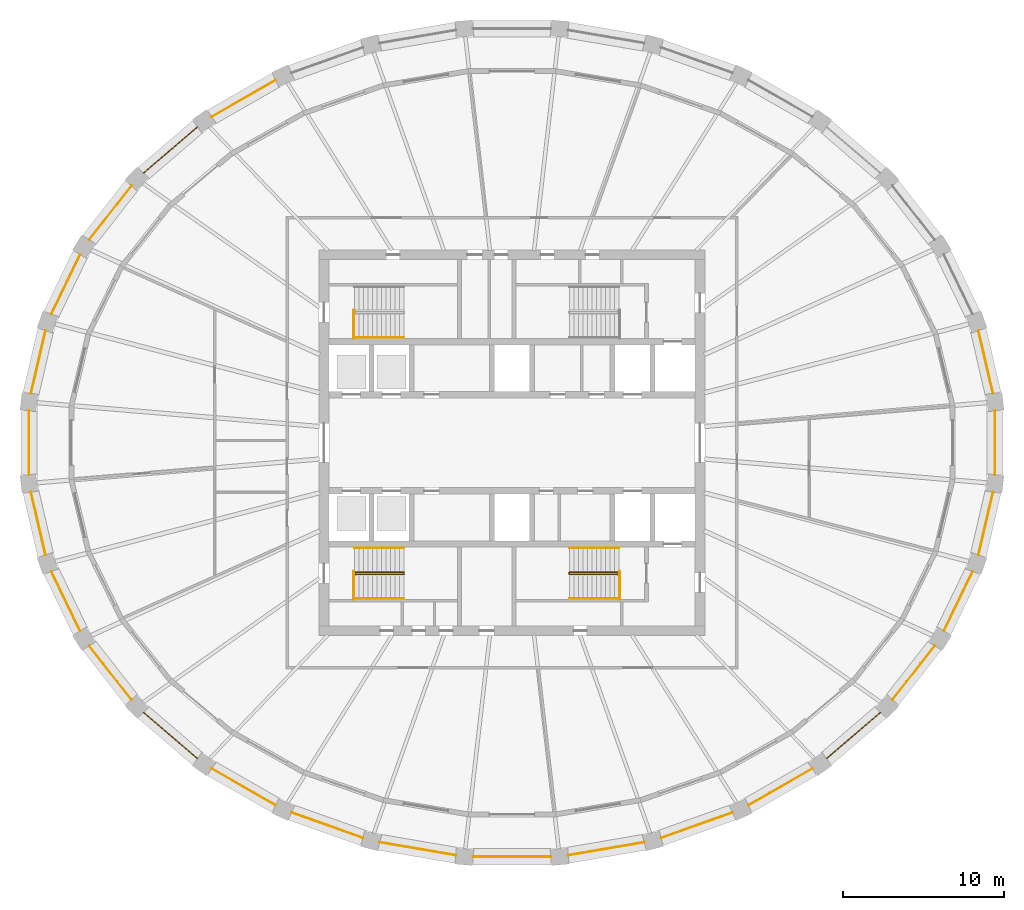
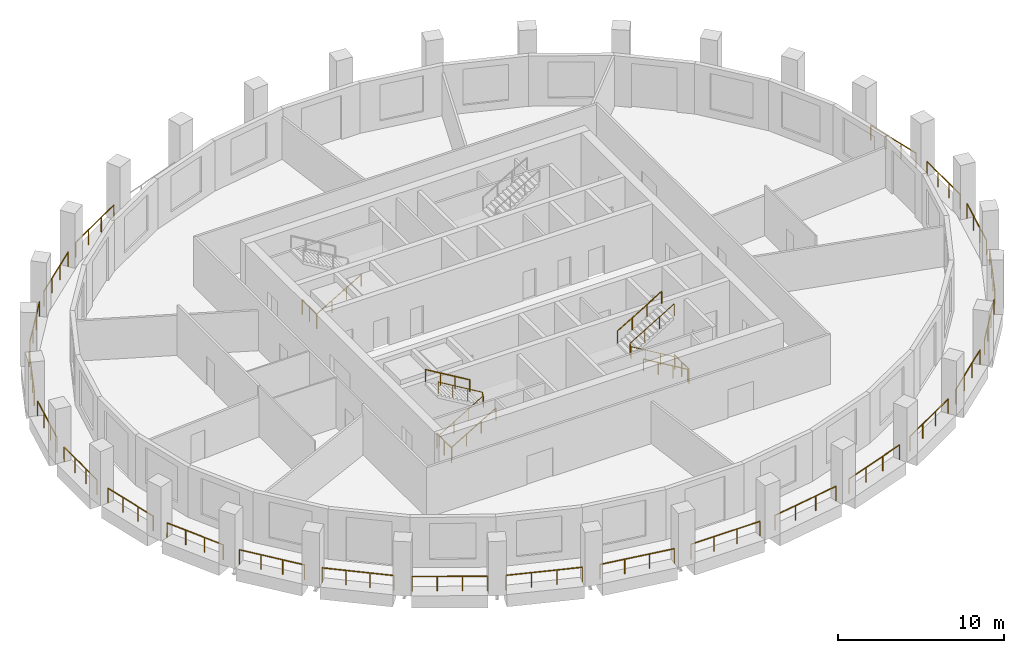
# One storey, part 8 of 10: 33 railings.
"""IFC4 building model written with IfcOpenShell, lengths in metres."""

from ifc_helpers import new_model, si_unit, direction, frame, origin, origin_2d, place, context, subcontext, project, spatial, circle, extrude, material, type_object, element, save


model = new_model("IFC4")

# Units and contexts
model_context = context("Model", 3, precision=1e-05, world=origin(), true_north=direction((0.0, 1.0)))
body_context = subcontext(model_context, "Body", "Model", "MODEL_VIEW")
ifc_project = project(units=[si_unit("LENGTHUNIT", "METRE"), si_unit("AREAUNIT", "SQUARE_METRE"), si_unit("VOLUMEUNIT", "CUBIC_METRE"), si_unit("PLANEANGLEUNIT", "RADIAN"), si_unit("MASSUNIT", "GRAM", prefix="KILO")], contexts=[model_context])

# Site, building, storey
site_placement = place(None, origin())
site = spatial("IfcSite", under=ifc_project, at=site_placement, CompositionType="ELEMENT")
building_placement = place(site_placement, origin())
building = spatial("IfcBuilding", under=site, at=building_placement, Name="Halqa Exchange Tower", CompositionType="ELEMENT")
storey_placement = place(building_placement, frame((0.0, 0.0, 260.300048828125)))
storey = spatial("IfcBuildingStorey", under=building, at=storey_placement, Name="L60", CompositionType="ELEMENT", Elevation=260.300048828125)

# Railings
ifc_material = material(Name="Stainless steel", Category="steel")
railing_type_1 = type_object("IfcRailingType", Name="Guard 1100 stainless steel", PredefinedType="GUARDRAIL", material=ifc_material)
railing_1_placement = place(storey_placement, frame((29.940673828125, 3.073974609375, 0.0)))
element("IfcRailing", 1, at=railing_1_placement, inside=storey, type_object=railing_type_1, Name="Loggia guard 1", PredefinedType="GUARDRAIL", context=body_context, shape_type="SweptSolid", body=[
    extrude(circle(Radius=0.02392578125, at=origin_2d()), frame((0.0, 0.0, 1.076171875), z_axis=(-0.226072980313, 0.974110367244, 0.0), x_axis=(-0.974110367244, -0.226072980313, 0.0)), (0.0, 0.0, 1.0), 4.0107421875),
    extrude(circle(Radius=0.02099609375, at=origin_2d()), origin(), (0.0, 0.0, 1.0), 1.052001953125),
    extrude(circle(Radius=0.02099609375, at=origin_2d()), frame((-0.30224609375, 1.30224609375, 0.0)), (0.0, 0.0, 1.0), 1.052001953125),
    extrude(circle(Radius=0.02099609375, at=origin_2d()), frame((-0.6044921875, 2.604736328125, 0.0)), (0.0, 0.0, 1.0), 1.052001953125),
    extrude(circle(Radius=0.02099609375, at=origin_2d()), frame((-0.90673828125, 3.906982421875, 0.0)), (0.0, 0.0, 1.0), 1.052001953125),
])
railing_2_placement = place(storey_placement, frame((-14.718505859375, 22.563720703125, 0.0)))
element("IfcRailing", 2, at=railing_2_placement, inside=storey, type_object=railing_type_1, Name="Loggia guard 11", PredefinedType="GUARDRAIL", context=body_context, shape_type="SweptSolid", body=[
    extrude(circle(Radius=0.02392578125, at=origin_2d()), frame((0.0, 0.0, 1.076171875), z_axis=(-0.867756640144, -0.496989349469, 0.0), x_axis=(0.496989349469, -0.867756640144, 0.0)), (0.0, 0.0, 1.0), 4.574462890625),
    extrude(circle(Radius=0.02099609375, at=origin_2d()), origin(), (0.0, 0.0, 1.0), 1.052001953125),
    extrude(circle(Radius=0.02099609375, at=origin_2d()), frame((-1.3232421875, -0.7578125, 0.0)), (0.0, 0.0, 1.0), 1.052001953125),
    extrude(circle(Radius=0.02099609375, at=origin_2d()), frame((-2.646240234375, -1.515625, 0.0)), (0.0, 0.0, 1.0), 1.052001953125),
    extrude(circle(Radius=0.02099609375, at=origin_2d()), frame((-3.969482421875, -2.2734375, 0.0)), (0.0, 0.0, 1.0), 1.052001953125),
])
railing_3_placement = place(storey_placement, frame((-19.5830078125, 19.658935546875, 0.0)))
element("IfcRailing", 3, at=railing_3_placement, inside=storey, type_object=railing_type_1, Name="Loggia guard 12", PredefinedType="GUARDRAIL", context=body_context, shape_type="SweptSolid", body=[
    extrude(circle(Radius=0.02392578125, at=origin_2d()), frame((0.0, 0.0, 1.076171875), z_axis=(-0.759240989742, -0.650809587741, 0.0), x_axis=(0.650809587741, -0.759240989742, 0.0)), (0.0, 0.0, 1.0), 4.415283203125),
    extrude(circle(Radius=0.02099609375, at=origin_2d()), origin(), (0.0, 0.0, 1.0), 1.052001953125),
    extrude(circle(Radius=0.02099609375, at=origin_2d()), frame((-1.117431640625, -0.957763671875, 0.0)), (0.0, 0.0, 1.0), 1.052001953125),
    extrude(circle(Radius=0.02099609375, at=origin_2d()), frame((-2.23486328125, -1.915771484375, 0.0)), (0.0, 0.0, 1.0), 1.052001953125),
    extrude(circle(Radius=0.02099609375, at=origin_2d()), frame((-3.352294921875, -2.87353515625, 0.0)), (0.0, 0.0, 1.0), 1.052001953125),
])
railing_4_placement = place(storey_placement, frame((-23.691162109375, 15.99365234375, 0.0)))
element("IfcRailing", 4, at=railing_4_placement, inside=storey, type_object=railing_type_1, Name="Loggia guard 13", PredefinedType="GUARDRAIL", context=body_context, shape_type="SweptSolid", body=[
    extrude(circle(Radius=0.02392578125, at=origin_2d()), frame((0.0, 0.0, 1.076171875), z_axis=(-0.614806859209, -0.788677707223, 0.0), x_axis=(0.788677707223, -0.614806859209, 0.0)), (0.0, 0.0, 1.0), 4.251708984375),
    extrude(circle(Radius=0.02099609375, at=origin_2d()), origin(), (0.0, 0.0, 1.0), 1.052001953125),
    extrude(circle(Radius=0.02099609375, at=origin_2d()), frame((-0.871337890625, -1.11767578125, 0.0)), (0.0, 0.0, 1.0), 1.052001953125),
    extrude(circle(Radius=0.02099609375, at=origin_2d()), frame((-1.74267578125, -2.235595703125, 0.0)), (0.0, 0.0, 1.0), 1.052001953125),
    extrude(circle(Radius=0.02099609375, at=origin_2d()), frame((-2.614013671875, -3.353271484375, 0.0)), (0.0, 0.0, 1.0), 1.052001953125),
])
railing_5_placement = place(storey_placement, frame((-26.882568359375, 11.71142578125, 0.0)))
element("IfcRailing", 5, at=railing_5_placement, inside=storey, type_object=railing_type_1, Name="Loggia guard 14", PredefinedType="GUARDRAIL", context=body_context, shape_type="SweptSolid", body=[
    extrude(circle(Radius=0.02392578125, at=origin_2d()), frame((0.0, 0.0, 1.076171875), z_axis=(-0.435122901851, -0.900371068107, 0.0), x_axis=(0.900371068107, -0.435122901851, 0.0)), (0.0, 0.0, 1.0), 4.10888671875),
    extrude(circle(Radius=0.02099609375, at=origin_2d()), origin(), (0.0, 0.0, 1.0), 1.052001953125),
    extrude(circle(Radius=0.02099609375, at=origin_2d()), frame((-0.595947265625, -1.233154296875, 0.0)), (0.0, 0.0, 1.0), 1.052001953125),
    extrude(circle(Radius=0.02099609375, at=origin_2d()), frame((-1.19189453125, -2.46630859375, 0.0)), (0.0, 0.0, 1.0), 1.052001953125),
    extrude(circle(Radius=0.02099609375, at=origin_2d()), frame((-1.787841796875, -3.699462890625, 0.0)), (0.0, 0.0, 1.0), 1.052001953125),
])
railing_6_placement = place(storey_placement, frame((-29.033935546875, 6.98095703125, 0.0)))
element("IfcRailing", 6, at=railing_6_placement, inside=storey, type_object=railing_type_1, Name="Loggia guard 15", PredefinedType="GUARDRAIL", context=body_context, shape_type="SweptSolid", body=[
    extrude(circle(Radius=0.02392578125, at=origin_2d()), frame((0.0, 0.0, 1.076171875), z_axis=(-0.226072980313, -0.974110367244, 0.0), x_axis=(0.974110367244, -0.226072980313, 0.0)), (0.0, 0.0, 1.0), 4.0107421875),
    extrude(circle(Radius=0.02099609375, at=origin_2d()), origin(), (0.0, 0.0, 1.0), 1.052001953125),
    extrude(circle(Radius=0.02099609375, at=origin_2d()), frame((-0.30224609375, -1.30224609375, 0.0)), (0.0, 0.0, 1.0), 1.052001953125),
    extrude(circle(Radius=0.02099609375, at=origin_2d()), frame((-0.6044921875, -2.604736328125, 0.0)), (0.0, 0.0, 1.0), 1.052001953125),
    extrude(circle(Radius=0.02099609375, at=origin_2d()), frame((-0.90673828125, -3.906982421875, 0.0)), (0.0, 0.0, 1.0), 1.052001953125),
])
railing_7_placement = place(storey_placement, frame((-30.06494140625, 1.988037109375, 0.0)))
element("IfcRailing", 7, at=railing_7_placement, inside=storey, type_object=railing_type_1, Name="Loggia guard 16", PredefinedType="GUARDRAIL", context=body_context, shape_type="SweptSolid", body=[
    extrude(circle(Radius=0.02392578125, at=origin_2d()), frame((0.0, 0.0, 1.076171875), z_axis=(0.0, -1.0, 0.0), x_axis=(1.0, 0.0, 0.0)), (0.0, 0.0, 1.0), 3.97607421875),
    extrude(circle(Radius=0.02099609375, at=origin_2d()), origin(), (0.0, 0.0, 1.0), 1.052001953125),
    extrude(circle(Radius=0.02099609375, at=origin_2d()), frame((0.0, -1.325439453125, 0.0)), (0.0, 0.0, 1.0), 1.052001953125),
    extrude(circle(Radius=0.02099609375, at=origin_2d()), frame((0.0, -2.650634765625, 0.0)), (0.0, 0.0, 1.0), 1.052001953125),
    extrude(circle(Radius=0.02099609375, at=origin_2d()), frame((0.0, -3.97607421875, 0.0)), (0.0, 0.0, 1.0), 1.052001953125),
])
railing_8_placement = place(storey_placement, frame((-29.940673828125, -3.073974609375, 0.0)))
element("IfcRailing", 8, at=railing_8_placement, inside=storey, type_object=railing_type_1, Name="Loggia guard 17", PredefinedType="GUARDRAIL", context=body_context, shape_type="SweptSolid", body=[
    extrude(circle(Radius=0.02392578125, at=origin_2d()), frame((0.0, 0.0, 1.076171875), z_axis=(0.226072980313, -0.974110367244, 0.0), x_axis=(0.974110367244, 0.226072980313, 0.0)), (0.0, 0.0, 1.0), 4.0107421875),
    extrude(circle(Radius=0.02099609375, at=origin_2d()), origin(), (0.0, 0.0, 1.0), 1.052001953125),
    extrude(circle(Radius=0.02099609375, at=origin_2d()), frame((0.30224609375, -1.30224609375, 0.0)), (0.0, 0.0, 1.0), 1.052001953125),
    extrude(circle(Radius=0.02099609375, at=origin_2d()), frame((0.6044921875, -2.604736328125, 0.0)), (0.0, 0.0, 1.0), 1.052001953125),
    extrude(circle(Radius=0.02099609375, at=origin_2d()), frame((0.90673828125, -3.906982421875, 0.0)), (0.0, 0.0, 1.0), 1.052001953125),
])
railing_9_placement = place(storey_placement, frame((-28.67041015625, -8.011962890625, 0.0)))
element("IfcRailing", 9, at=railing_9_placement, inside=storey, type_object=railing_type_1, Name="Loggia guard 18", PredefinedType="GUARDRAIL", context=body_context, shape_type="SweptSolid", body=[
    extrude(circle(Radius=0.02392578125, at=origin_2d()), frame((0.0, 0.0, 1.076171875), z_axis=(0.435122901851, -0.900371068107, 0.0), x_axis=(0.900371068107, 0.435122901851, 0.0)), (0.0, 0.0, 1.0), 4.10888671875),
    extrude(circle(Radius=0.02099609375, at=origin_2d()), origin(), (0.0, 0.0, 1.0), 1.052001953125),
    extrude(circle(Radius=0.02099609375, at=origin_2d()), frame((0.595947265625, -1.233154296875, 0.0)), (0.0, 0.0, 1.0), 1.052001953125),
    extrude(circle(Radius=0.02099609375, at=origin_2d()), frame((1.19189453125, -2.46630859375, 0.0)), (0.0, 0.0, 1.0), 1.052001953125),
    extrude(circle(Radius=0.02099609375, at=origin_2d()), frame((1.787841796875, -3.699462890625, 0.0)), (0.0, 0.0, 1.0), 1.052001953125),
])
railing_10_placement = place(storey_placement, frame((-26.30517578125, -12.640380859375, 0.0)))
element("IfcRailing", 10, at=railing_10_placement, inside=storey, type_object=railing_type_1, Name="Loggia guard 19", PredefinedType="GUARDRAIL", context=body_context, shape_type="SweptSolid", body=[
    extrude(circle(Radius=0.02392578125, at=origin_2d()), frame((0.0, 0.0, 1.076171875), z_axis=(0.614806859209, -0.788677707223, 0.0), x_axis=(0.788677707223, 0.614806859209, 0.0)), (0.0, 0.0, 1.0), 4.251708984375),
    extrude(circle(Radius=0.02099609375, at=origin_2d()), origin(), (0.0, 0.0, 1.0), 1.052001953125),
    extrude(circle(Radius=0.02099609375, at=origin_2d()), frame((0.871337890625, -1.11767578125, 0.0)), (0.0, 0.0, 1.0), 1.052001953125),
    extrude(circle(Radius=0.02099609375, at=origin_2d()), frame((1.74267578125, -2.235595703125, 0.0)), (0.0, 0.0, 1.0), 1.052001953125),
    extrude(circle(Radius=0.02099609375, at=origin_2d()), frame((2.614013671875, -3.353271484375, 0.0)), (0.0, 0.0, 1.0), 1.052001953125),
])
railing_11_placement = place(storey_placement, frame((-22.935302734375, -16.785400390625, 0.0)))
element("IfcRailing", 11, at=railing_11_placement, inside=storey, type_object=railing_type_1, Name="Loggia guard 20", PredefinedType="GUARDRAIL", context=body_context, shape_type="SweptSolid", body=[
    extrude(circle(Radius=0.02392578125, at=origin_2d()), frame((0.0, 0.0, 1.076171875), z_axis=(0.759240989742, -0.650809587741, 0.0), x_axis=(0.650809587741, 0.759240989742, 0.0)), (0.0, 0.0, 1.0), 4.415283203125),
    extrude(circle(Radius=0.02099609375, at=origin_2d()), origin(), (0.0, 0.0, 1.0), 1.052001953125),
    extrude(circle(Radius=0.02099609375, at=origin_2d()), frame((1.117431640625, -0.957763671875, 0.0)), (0.0, 0.0, 1.0), 1.052001953125),
    extrude(circle(Radius=0.02099609375, at=origin_2d()), frame((2.23486328125, -1.915771484375, 0.0)), (0.0, 0.0, 1.0), 1.052001953125),
    extrude(circle(Radius=0.02099609375, at=origin_2d()), frame((3.352294921875, -2.87353515625, 0.0)), (0.0, 0.0, 1.0), 1.052001953125),
])
railing_12_placement = place(storey_placement, frame((-18.68798828125, -20.290283203125, 0.0)))
element("IfcRailing", 12, at=railing_12_placement, inside=storey, type_object=railing_type_1, Name="Loggia guard 21", PredefinedType="GUARDRAIL", context=body_context, shape_type="SweptSolid", body=[
    extrude(circle(Radius=0.02392578125, at=origin_2d()), frame((0.0, 0.0, 1.076171875), z_axis=(0.867756640144, -0.496989349469, 0.0), x_axis=(0.496989349469, 0.867756640144, 0.0)), (0.0, 0.0, 1.0), 4.574462890625),
    extrude(circle(Radius=0.02099609375, at=origin_2d()), origin(), (0.0, 0.0, 1.0), 1.052001953125),
    extrude(circle(Radius=0.02099609375, at=origin_2d()), frame((1.3232421875, -0.7578125, 0.0)), (0.0, 0.0, 1.0), 1.052001953125),
    extrude(circle(Radius=0.02099609375, at=origin_2d()), frame((2.646240234375, -1.515625, 0.0)), (0.0, 0.0, 1.0), 1.052001953125),
    extrude(circle(Radius=0.02099609375, at=origin_2d()), frame((3.969482421875, -2.2734375, 0.0)), (0.0, 0.0, 1.0), 1.052001953125),
])
railing_13_placement = place(storey_placement, frame((-13.722900390625, -23.02099609375, 0.0)))
element("IfcRailing", 13, at=railing_13_placement, inside=storey, type_object=railing_type_1, Name="Loggia guard 22", PredefinedType="GUARDRAIL", context=body_context, shape_type="SweptSolid", body=[
    extrude(circle(Radius=0.02392578125, at=origin_2d()), frame((0.0, 0.0, 1.076171875), z_axis=(0.942362332285, -0.334594134275, 0.0), x_axis=(0.334594134275, 0.942362332285, 0.0)), (0.0, 0.0, 1.0), 4.706298828125),
    extrude(circle(Radius=0.02099609375, at=origin_2d()), origin(), (0.0, 0.0, 1.0), 1.052001953125),
    extrude(circle(Radius=0.02099609375, at=origin_2d()), frame((1.478271484375, -0.52490234375, 0.0)), (0.0, 0.0, 1.0), 1.052001953125),
    extrude(circle(Radius=0.02099609375, at=origin_2d()), frame((2.956787109375, -1.0498046875, 0.0)), (0.0, 0.0, 1.0), 1.052001953125),
    extrude(circle(Radius=0.02099609375, at=origin_2d()), frame((4.43505859375, -1.57470703125, 0.0)), (0.0, 0.0, 1.0), 1.052001953125),
])
railing_14_placement = place(storey_placement, frame((-8.227294921875, -24.8720703125, 0.0)))
element("IfcRailing", 14, at=railing_14_placement, inside=storey, type_object=railing_type_1, Name="Loggia guard 23", PredefinedType="GUARDRAIL", context=body_context, shape_type="SweptSolid", body=[
    extrude(circle(Radius=0.02392578125, at=origin_2d()), frame((0.0, 0.0, 1.076171875), z_axis=(0.98577433099, -0.168074294172, 0.0), x_axis=(0.168074294172, 0.98577433099, 0.0)), (0.0, 0.0, 1.0), 4.7919921875),
    extrude(circle(Radius=0.02099609375, at=origin_2d()), origin(), (0.0, 0.0, 1.0), 1.052001953125),
    extrude(circle(Radius=0.02099609375, at=origin_2d()), frame((1.57470703125, -0.2685546875, 0.0)), (0.0, 0.0, 1.0), 1.052001953125),
    extrude(circle(Radius=0.02099609375, at=origin_2d()), frame((3.149169921875, -0.536865234375, 0.0)), (0.0, 0.0, 1.0), 1.052001953125),
    extrude(circle(Radius=0.02099609375, at=origin_2d()), frame((4.723876953125, -0.805419921875, 0.0)), (0.0, 0.0, 1.0), 1.052001953125),
])
railing_15_placement = place(storey_placement, frame((-2.4111328125, -25.77001953125, 0.0)))
element("IfcRailing", 15, at=railing_15_placement, inside=storey, type_object=railing_type_1, Name="Loggia guard 24", PredefinedType="GUARDRAIL", context=body_context, shape_type="SweptSolid", body=[
    extrude(circle(Radius=0.02392578125, at=origin_2d()), frame((0.0, 0.0, 1.076171875), z_axis=(1.0, 0.0, 0.0), x_axis=(0.0, 1.0, 0.0)), (0.0, 0.0, 1.0), 4.822265625),
    extrude(circle(Radius=0.02099609375, at=origin_2d()), origin(), (0.0, 0.0, 1.0), 1.052001953125),
    extrude(circle(Radius=0.02099609375, at=origin_2d()), frame((1.607421875, 0.0, 0.0)), (0.0, 0.0, 1.0), 1.052001953125),
    extrude(circle(Radius=0.02099609375, at=origin_2d()), frame((3.21484375, 0.0, 0.0)), (0.0, 0.0, 1.0), 1.052001953125),
    extrude(circle(Radius=0.02099609375, at=origin_2d()), frame((4.822265625, 0.0, 0.0)), (0.0, 0.0, 1.0), 1.052001953125),
])
railing_16_placement = place(storey_placement, frame((3.50341796875, -25.677490234375, 0.0)))
element("IfcRailing", 16, at=railing_16_placement, inside=storey, type_object=railing_type_1, Name="Loggia guard 25", PredefinedType="GUARDRAIL", context=body_context, shape_type="SweptSolid", body=[
    extrude(circle(Radius=0.02392578125, at=origin_2d()), frame((0.0, 0.0, 1.076171875), z_axis=(0.98577433099, 0.168074294172, 0.0), x_axis=(-0.168074294172, 0.98577433099, 0.0)), (0.0, 0.0, 1.0), 4.7919921875),
    extrude(circle(Radius=0.02099609375, at=origin_2d()), origin(), (0.0, 0.0, 1.0), 1.052001953125),
    extrude(circle(Radius=0.02099609375, at=origin_2d()), frame((1.57470703125, 0.2685546875, 0.0)), (0.0, 0.0, 1.0), 1.052001953125),
    extrude(circle(Radius=0.02099609375, at=origin_2d()), frame((3.149169921875, 0.536865234375, 0.0)), (0.0, 0.0, 1.0), 1.052001953125),
    extrude(circle(Radius=0.02099609375, at=origin_2d()), frame((4.723876953125, 0.805419921875, 0.0)), (0.0, 0.0, 1.0), 1.052001953125),
])
railing_17_placement = place(storey_placement, frame((9.287841796875, -24.595703125, 0.0)))
element("IfcRailing", 17, at=railing_17_placement, inside=storey, type_object=railing_type_1, Name="Loggia guard 26", PredefinedType="GUARDRAIL", context=body_context, shape_type="SweptSolid", body=[
    extrude(circle(Radius=0.02392578125, at=origin_2d()), frame((0.0, 0.0, 1.076171875), z_axis=(0.942362332285, 0.334594134275, 0.0), x_axis=(-0.334594134275, 0.942362332285, 0.0)), (0.0, 0.0, 1.0), 4.706298828125),
    extrude(circle(Radius=0.02099609375, at=origin_2d()), origin(), (0.0, 0.0, 1.0), 1.052001953125),
    extrude(circle(Radius=0.02099609375, at=origin_2d()), frame((1.478271484375, 0.52490234375, 0.0)), (0.0, 0.0, 1.0), 1.052001953125),
    extrude(circle(Radius=0.02099609375, at=origin_2d()), frame((2.956787109375, 1.0498046875, 0.0)), (0.0, 0.0, 1.0), 1.052001953125),
    extrude(circle(Radius=0.02099609375, at=origin_2d()), frame((4.43505859375, 1.57470703125, 0.0)), (0.0, 0.0, 1.0), 1.052001953125),
])
railing_18_placement = place(storey_placement, frame((14.718505859375, -22.563720703125, 0.0)))
element("IfcRailing", 18, at=railing_18_placement, inside=storey, type_object=railing_type_1, Name="Loggia guard 27", PredefinedType="GUARDRAIL", context=body_context, shape_type="SweptSolid", body=[
    extrude(circle(Radius=0.02392578125, at=origin_2d()), frame((0.0, 0.0, 1.076171875), z_axis=(0.867756640144, 0.496989349469, 0.0), x_axis=(-0.496989349469, 0.867756640144, 0.0)), (0.0, 0.0, 1.0), 4.574462890625),
    extrude(circle(Radius=0.02099609375, at=origin_2d()), origin(), (0.0, 0.0, 1.0), 1.052001953125),
    extrude(circle(Radius=0.02099609375, at=origin_2d()), frame((1.3232421875, 0.7578125, 0.0)), (0.0, 0.0, 1.0), 1.052001953125),
    extrude(circle(Radius=0.02099609375, at=origin_2d()), frame((2.646240234375, 1.515625, 0.0)), (0.0, 0.0, 1.0), 1.052001953125),
    extrude(circle(Radius=0.02099609375, at=origin_2d()), frame((3.969482421875, 2.2734375, 0.0)), (0.0, 0.0, 1.0), 1.052001953125),
])
railing_19_placement = place(storey_placement, frame((19.5830078125, -19.658935546875, 0.0)))
element("IfcRailing", 19, at=railing_19_placement, inside=storey, type_object=railing_type_1, Name="Loggia guard 28", PredefinedType="GUARDRAIL", context=body_context, shape_type="SweptSolid", body=[
    extrude(circle(Radius=0.02392578125, at=origin_2d()), frame((0.0, 0.0, 1.076171875), z_axis=(0.759240989742, 0.650809587741, 0.0), x_axis=(-0.650809587741, 0.759240989742, 0.0)), (0.0, 0.0, 1.0), 4.415283203125),
    extrude(circle(Radius=0.02099609375, at=origin_2d()), origin(), (0.0, 0.0, 1.0), 1.052001953125),
    extrude(circle(Radius=0.02099609375, at=origin_2d()), frame((1.117431640625, 0.957763671875, 0.0)), (0.0, 0.0, 1.0), 1.052001953125),
    extrude(circle(Radius=0.02099609375, at=origin_2d()), frame((2.23486328125, 1.915771484375, 0.0)), (0.0, 0.0, 1.0), 1.052001953125),
    extrude(circle(Radius=0.02099609375, at=origin_2d()), frame((3.352294921875, 2.87353515625, 0.0)), (0.0, 0.0, 1.0), 1.052001953125),
])
railing_20_placement = place(storey_placement, frame((23.691162109375, -15.99365234375, 0.0)))
element("IfcRailing", 20, at=railing_20_placement, inside=storey, type_object=railing_type_1, Name="Loggia guard 29", PredefinedType="GUARDRAIL", context=body_context, shape_type="SweptSolid", body=[
    extrude(circle(Radius=0.02392578125, at=origin_2d()), frame((0.0, 0.0, 1.076171875), z_axis=(0.614806859209, 0.788677707223, 0.0), x_axis=(-0.788677707223, 0.614806859209, 0.0)), (0.0, 0.0, 1.0), 4.251708984375),
    extrude(circle(Radius=0.02099609375, at=origin_2d()), origin(), (0.0, 0.0, 1.0), 1.052001953125),
    extrude(circle(Radius=0.02099609375, at=origin_2d()), frame((0.871337890625, 1.11767578125, 0.0)), (0.0, 0.0, 1.0), 1.052001953125),
    extrude(circle(Radius=0.02099609375, at=origin_2d()), frame((1.74267578125, 2.235595703125, 0.0)), (0.0, 0.0, 1.0), 1.052001953125),
    extrude(circle(Radius=0.02099609375, at=origin_2d()), frame((2.614013671875, 3.353271484375, 0.0)), (0.0, 0.0, 1.0), 1.052001953125),
])
railing_21_placement = place(storey_placement, frame((26.882568359375, -11.71142578125, 0.0)))
element("IfcRailing", 21, at=railing_21_placement, inside=storey, type_object=railing_type_1, Name="Loggia guard 30", PredefinedType="GUARDRAIL", context=body_context, shape_type="SweptSolid", body=[
    extrude(circle(Radius=0.02392578125, at=origin_2d()), frame((0.0, 0.0, 1.076171875), z_axis=(0.435122901851, 0.900371068107, 0.0), x_axis=(-0.900371068107, 0.435122901851, 0.0)), (0.0, 0.0, 1.0), 4.10888671875),
    extrude(circle(Radius=0.02099609375, at=origin_2d()), origin(), (0.0, 0.0, 1.0), 1.052001953125),
    extrude(circle(Radius=0.02099609375, at=origin_2d()), frame((0.595947265625, 1.233154296875, 0.0)), (0.0, 0.0, 1.0), 1.052001953125),
    extrude(circle(Radius=0.02099609375, at=origin_2d()), frame((1.19189453125, 2.46630859375, 0.0)), (0.0, 0.0, 1.0), 1.052001953125),
    extrude(circle(Radius=0.02099609375, at=origin_2d()), frame((1.787841796875, 3.699462890625, 0.0)), (0.0, 0.0, 1.0), 1.052001953125),
])
railing_22_placement = place(storey_placement, frame((29.033935546875, -6.98095703125, 0.0)))
element("IfcRailing", 22, at=railing_22_placement, inside=storey, type_object=railing_type_1, Name="Loggia guard 31", PredefinedType="GUARDRAIL", context=body_context, shape_type="SweptSolid", body=[
    extrude(circle(Radius=0.02392578125, at=origin_2d()), frame((0.0, 0.0, 1.076171875), z_axis=(0.226072980313, 0.974110367244, 0.0), x_axis=(-0.974110367244, 0.226072980313, 0.0)), (0.0, 0.0, 1.0), 4.0107421875),
    extrude(circle(Radius=0.02099609375, at=origin_2d()), origin(), (0.0, 0.0, 1.0), 1.052001953125),
    extrude(circle(Radius=0.02099609375, at=origin_2d()), frame((0.30224609375, 1.30224609375, 0.0)), (0.0, 0.0, 1.0), 1.052001953125),
    extrude(circle(Radius=0.02099609375, at=origin_2d()), frame((0.6044921875, 2.604736328125, 0.0)), (0.0, 0.0, 1.0), 1.052001953125),
    extrude(circle(Radius=0.02099609375, at=origin_2d()), frame((0.90673828125, 3.906982421875, 0.0)), (0.0, 0.0, 1.0), 1.052001953125),
])
railing_23_placement = place(storey_placement, frame((30.06494140625, -1.988037109375, 0.0)))
element("IfcRailing", 23, at=railing_23_placement, inside=storey, type_object=railing_type_1, Name="Loggia guard 32", PredefinedType="GUARDRAIL", context=body_context, shape_type="SweptSolid", body=[
    extrude(circle(Radius=0.02392578125, at=origin_2d()), frame((0.0, 0.0, 1.076171875), z_axis=(0.0, 1.0, 0.0), x_axis=(-1.0, 0.0, 0.0)), (0.0, 0.0, 1.0), 3.97607421875),
    extrude(circle(Radius=0.02099609375, at=origin_2d()), origin(), (0.0, 0.0, 1.0), 1.052001953125),
    extrude(circle(Radius=0.02099609375, at=origin_2d()), frame((0.0, 1.325439453125, 0.0)), (0.0, 0.0, 1.0), 1.052001953125),
    extrude(circle(Radius=0.02099609375, at=origin_2d()), frame((0.0, 2.650634765625, 0.0)), (0.0, 0.0, 1.0), 1.052001953125),
    extrude(circle(Radius=0.02099609375, at=origin_2d()), frame((0.0, 3.97607421875, 0.0)), (0.0, 0.0, 1.0), 1.052001953125),
])
railing_type_2 = type_object("IfcRailingType", Name="Stair handrail 900", PredefinedType="HANDRAIL", material=ifc_material)
railing_24_placement = place(storey_placement, frame((-9.800048828125, 6.550048828125, 0.166748046875)))
element("IfcRailing", 24, at=railing_24_placement, inside=storey, type_object=railing_type_2, Name="Handrail ST1.2", PredefinedType="HANDRAIL", context=body_context, shape_type="SweptSolid", body=[
    extrude(circle(Radius=0.02392578125, at=origin_2d()), frame((0.0, 0.0, 0.8759765625), z_axis=(0.859308565015, 0.0, 0.511457515432), x_axis=(0.0, 1.0, 0.0)), (0.0, 0.0, 1.0), 3.58447265625),
    extrude(circle(Radius=0.02099609375, at=origin_2d()), origin(), (0.0, 0.0, 1.0), 0.851806640625),
    extrude(circle(Radius=0.02099609375, at=origin_2d()), frame((1.026611328125, 0.0, 0.611083984375)), (0.0, 0.0, 1.0), 0.851806640625),
    extrude(circle(Radius=0.02099609375, at=origin_2d()), frame((2.053466796875, 0.0, 1.22216796875)), (0.0, 0.0, 1.0), 0.851806640625),
    extrude(circle(Radius=0.02099609375, at=origin_2d()), frame((3.080078125, 0.0, 1.833251953125)), (0.0, 0.0, 1.0), 0.851806640625),
])
railing_25_placement = place(storey_placement, frame((-9.800048828125, -8.18994140625, 0.166748046875)))
element("IfcRailing", 25, at=railing_25_placement, inside=storey, type_object=railing_type_2, Name="Handrail ST3.1", PredefinedType="HANDRAIL", context=body_context, shape_type="SweptSolid", body=[
    extrude(circle(Radius=0.02392578125, at=origin_2d()), frame((0.0, 0.0, 0.8759765625), z_axis=(0.859308565015, 0.0, 0.511457515432), x_axis=(0.0, 1.0, 0.0)), (0.0, 0.0, 1.0), 3.58447265625),
    extrude(circle(Radius=0.02392578125, at=origin_2d()), frame((3.080078125, 0.0, 2.708984375), z_axis=(0.0, 0.614500226555, 0.788916644243), x_axis=(-1.0, 0.0, 0.0)), (0.0, 0.0, 1.0), 0.21142578125),
    extrude(circle(Radius=0.02392578125, at=origin_2d()), frame((3.080078125, 0.1298828125, 2.8759765625), z_axis=(-0.859308565015, 0.0, 0.511457515432), x_axis=(0.0, -1.0, 0.0)), (0.0, 0.0, 1.0), 3.58447265625),
    extrude(circle(Radius=0.02099609375, at=origin_2d()), origin(), (0.0, 0.0, 1.0), 0.851806640625),
    extrude(circle(Radius=0.02099609375, at=origin_2d()), frame((1.026611328125, 0.0, 0.611083984375)), (0.0, 0.0, 1.0), 0.851806640625),
    extrude(circle(Radius=0.02099609375, at=origin_2d()), frame((2.053466796875, 0.0, 1.22216796875)), (0.0, 0.0, 1.0), 0.851806640625),
    extrude(circle(Radius=0.02099609375, at=origin_2d()), frame((3.080078125, 0.0, 1.833251953125)), (0.0, 0.0, 1.0), 0.851806640625),
    extrude(circle(Radius=0.02099609375, at=origin_2d()), frame((3.080078125, 0.1298828125, 2.0)), (0.0, 0.0, 1.0), 0.851806640625),
    extrude(circle(Radius=0.02099609375, at=origin_2d()), frame((2.053466796875, 0.1298828125, 2.611083984375)), (0.0, 0.0, 1.0), 0.851806640625),
    extrude(circle(Radius=0.02099609375, at=origin_2d()), frame((1.026611328125, 0.1298828125, 3.22216796875)), (0.0, 0.0, 1.0), 0.851806640625),
    extrude(circle(Radius=0.02099609375, at=origin_2d()), frame((0.0, 0.1298828125, 3.833251953125)), (0.0, 0.0, 1.0), 0.851806640625),
])
railing_26_placement = place(storey_placement, frame((-9.800048828125, -9.699951171875, 0.166748046875)))
element("IfcRailing", 26, at=railing_26_placement, inside=storey, type_object=railing_type_2, Name="Handrail ST3.2", PredefinedType="HANDRAIL", context=body_context, shape_type="SweptSolid", body=[
    extrude(circle(Radius=0.02392578125, at=origin_2d()), frame((0.0, 0.0, 0.8759765625), z_axis=(0.859308565015, 0.0, 0.511457515432), x_axis=(0.0, 1.0, 0.0)), (0.0, 0.0, 1.0), 3.58447265625),
    extrude(circle(Radius=0.02099609375, at=origin_2d()), origin(), (0.0, 0.0, 1.0), 0.851806640625),
    extrude(circle(Radius=0.02099609375, at=origin_2d()), frame((1.026611328125, 0.0, 0.611083984375)), (0.0, 0.0, 1.0), 0.851806640625),
    extrude(circle(Radius=0.02099609375, at=origin_2d()), frame((2.053466796875, 0.0, 1.22216796875)), (0.0, 0.0, 1.0), 0.851806640625),
    extrude(circle(Radius=0.02099609375, at=origin_2d()), frame((3.080078125, 0.0, 1.833251953125)), (0.0, 0.0, 1.0), 0.851806640625),
])
railing_27_placement = place(storey_placement, frame((-6.719970703125, -6.550048828125, 2.166748046875)))
element("IfcRailing", 27, at=railing_27_placement, inside=storey, type_object=railing_type_2, Name="Handrail ST3.3", PredefinedType="HANDRAIL", context=body_context, shape_type="SweptSolid", body=[
    extrude(circle(Radius=0.02392578125, at=origin_2d()), frame((0.0, 0.0, 0.8759765625), z_axis=(-0.859308565015, 0.0, 0.511457515432), x_axis=(0.0, -1.0, 0.0)), (0.0, 0.0, 1.0), 3.58447265625),
    extrude(circle(Radius=0.02099609375, at=origin_2d()), origin(), (0.0, 0.0, 1.0), 0.851806640625),
    extrude(circle(Radius=0.02099609375, at=origin_2d()), frame((-1.026611328125, 0.0, 0.611083984375)), (0.0, 0.0, 1.0), 0.851806640625),
    extrude(circle(Radius=0.02099609375, at=origin_2d()), frame((-2.053466796875, 0.0, 1.22216796875)), (0.0, 0.0, 1.0), 0.851806640625),
    extrude(circle(Radius=0.02099609375, at=origin_2d()), frame((-3.080078125, 0.0, 1.833251953125)), (0.0, 0.0, 1.0), 0.851806640625),
])
railing_28_placement = place(storey_placement, frame((6.64990234375, -8.18994140625, 0.166748046875)))
element("IfcRailing", 28, at=railing_28_placement, inside=storey, type_object=railing_type_2, Name="Handrail ST4.1", PredefinedType="HANDRAIL", context=body_context, shape_type="SweptSolid", body=[
    extrude(circle(Radius=0.02392578125, at=origin_2d()), frame((0.0, 0.0, 0.8759765625), z_axis=(-0.859290745958, 0.0, 0.51148745235), x_axis=(0.0, -1.0, 0.0)), (0.0, 0.0, 1.0), 3.584228515625),
    extrude(circle(Radius=0.02392578125, at=origin_2d()), frame((-3.079833984375, 0.0, 2.708984375), z_axis=(0.0, 0.614500226555, 0.788916644243), x_axis=(-1.0, 0.0, 0.0)), (0.0, 0.0, 1.0), 0.21142578125),
    extrude(circle(Radius=0.02392578125, at=origin_2d()), frame((-3.079833984375, 0.1298828125, 2.8759765625), z_axis=(0.859290745958, 0.0, 0.51148745235), x_axis=(0.0, 1.0, 0.0)), (0.0, 0.0, 1.0), 3.584228515625),
    extrude(circle(Radius=0.02099609375, at=origin_2d()), origin(), (0.0, 0.0, 1.0), 0.851806640625),
    extrude(circle(Radius=0.02099609375, at=origin_2d()), frame((-1.026611328125, 0.0, 0.611083984375)), (0.0, 0.0, 1.0), 0.851806640625),
    extrude(circle(Radius=0.02099609375, at=origin_2d()), frame((-2.05322265625, 0.0, 1.22216796875)), (0.0, 0.0, 1.0), 0.851806640625),
    extrude(circle(Radius=0.02099609375, at=origin_2d()), frame((-3.079833984375, 0.0, 1.833251953125)), (0.0, 0.0, 1.0), 0.851806640625),
    extrude(circle(Radius=0.02099609375, at=origin_2d()), frame((-3.079833984375, 0.1298828125, 2.0)), (0.0, 0.0, 1.0), 0.851806640625),
    extrude(circle(Radius=0.02099609375, at=origin_2d()), frame((-2.05322265625, 0.1298828125, 2.611083984375)), (0.0, 0.0, 1.0), 0.851806640625),
    extrude(circle(Radius=0.02099609375, at=origin_2d()), frame((-1.026611328125, 0.1298828125, 3.22216796875)), (0.0, 0.0, 1.0), 0.851806640625),
    extrude(circle(Radius=0.02099609375, at=origin_2d()), frame((0.0, 0.1298828125, 3.833251953125)), (0.0, 0.0, 1.0), 0.851806640625),
])
railing_29_placement = place(storey_placement, frame((6.64990234375, -9.699951171875, 0.166748046875)))
element("IfcRailing", 29, at=railing_29_placement, inside=storey, type_object=railing_type_2, Name="Handrail ST4.2", PredefinedType="HANDRAIL", context=body_context, shape_type="SweptSolid", body=[
    extrude(circle(Radius=0.02392578125, at=origin_2d()), frame((0.0, 0.0, 0.8759765625), z_axis=(-0.859290745958, 0.0, 0.51148745235), x_axis=(0.0, -1.0, 0.0)), (0.0, 0.0, 1.0), 3.584228515625),
    extrude(circle(Radius=0.02099609375, at=origin_2d()), origin(), (0.0, 0.0, 1.0), 0.851806640625),
    extrude(circle(Radius=0.02099609375, at=origin_2d()), frame((-1.026611328125, 0.0, 0.611083984375)), (0.0, 0.0, 1.0), 0.851806640625),
    extrude(circle(Radius=0.02099609375, at=origin_2d()), frame((-2.05322265625, 0.0, 1.22216796875)), (0.0, 0.0, 1.0), 0.851806640625),
    extrude(circle(Radius=0.02099609375, at=origin_2d()), frame((-3.079833984375, 0.0, 1.833251953125)), (0.0, 0.0, 1.0), 0.851806640625),
])
railing_30_placement = place(storey_placement, frame((3.570068359375, -6.550048828125, 2.166748046875)))
element("IfcRailing", 30, at=railing_30_placement, inside=storey, type_object=railing_type_2, Name="Handrail ST4.3", PredefinedType="HANDRAIL", context=body_context, shape_type="SweptSolid", body=[
    extrude(circle(Radius=0.02392578125, at=origin_2d()), frame((0.0, 0.0, 0.8759765625), z_axis=(0.859290745958, 0.0, 0.51148745235), x_axis=(0.0, 1.0, 0.0)), (0.0, 0.0, 1.0), 3.584228515625),
    extrude(circle(Radius=0.02099609375, at=origin_2d()), origin(), (0.0, 0.0, 1.0), 0.851806640625),
    extrude(circle(Radius=0.02099609375, at=origin_2d()), frame((1.026611328125, 0.0, 0.611083984375)), (0.0, 0.0, 1.0), 0.851806640625),
    extrude(circle(Radius=0.02099609375, at=origin_2d()), frame((2.05322265625, 0.0, 1.22216796875)), (0.0, 0.0, 1.0), 0.851806640625),
    extrude(circle(Radius=0.02099609375, at=origin_2d()), frame((3.079833984375, 0.0, 1.833251953125)), (0.0, 0.0, 1.0), 0.851806640625),
])
railing_type_3 = type_object("IfcRailingType", Name="Stair well guard 1100", PredefinedType="GUARDRAIL", material=ifc_material)
for number, where, name in (
    (31, (-9.85009765625, 6.5, 0.0), "Guard ST1 well"),
    (32, (-9.85009765625, -9.75, 0.0), "Guard ST3 well"),
    (33, (6.699951171875, -9.75, 0.0), "Guard ST4 well"),
):
    element("IfcRailing", number, at=place(storey_placement, frame(where)), inside=storey, type_object=railing_type_3, Name=name, PredefinedType="GUARDRAIL", context=body_context, shape_type="SweptSolid", body=[
        extrude(circle(Radius=0.02392578125, at=origin_2d()), frame((0.0, 0.0, 1.076171875), z_axis=(0.0, 1.0, 0.0), x_axis=(-1.0, 0.0, 0.0)), (0.0, 0.0, 1.0), 1.75),
        extrude(circle(Radius=0.02099609375, at=origin_2d()), origin(), (0.0, 0.0, 1.0), 1.052001953125),
        extrude(circle(Radius=0.02099609375, at=origin_2d()), frame((0.0, 0.875, 0.0)), (0.0, 0.0, 1.0), 1.052001953125),
        extrude(circle(Radius=0.02099609375, at=origin_2d()), frame((0.0, 1.75, 0.0)), (0.0, 0.0, 1.0), 1.052001953125),
    ])

save(model, "model.ifc")
